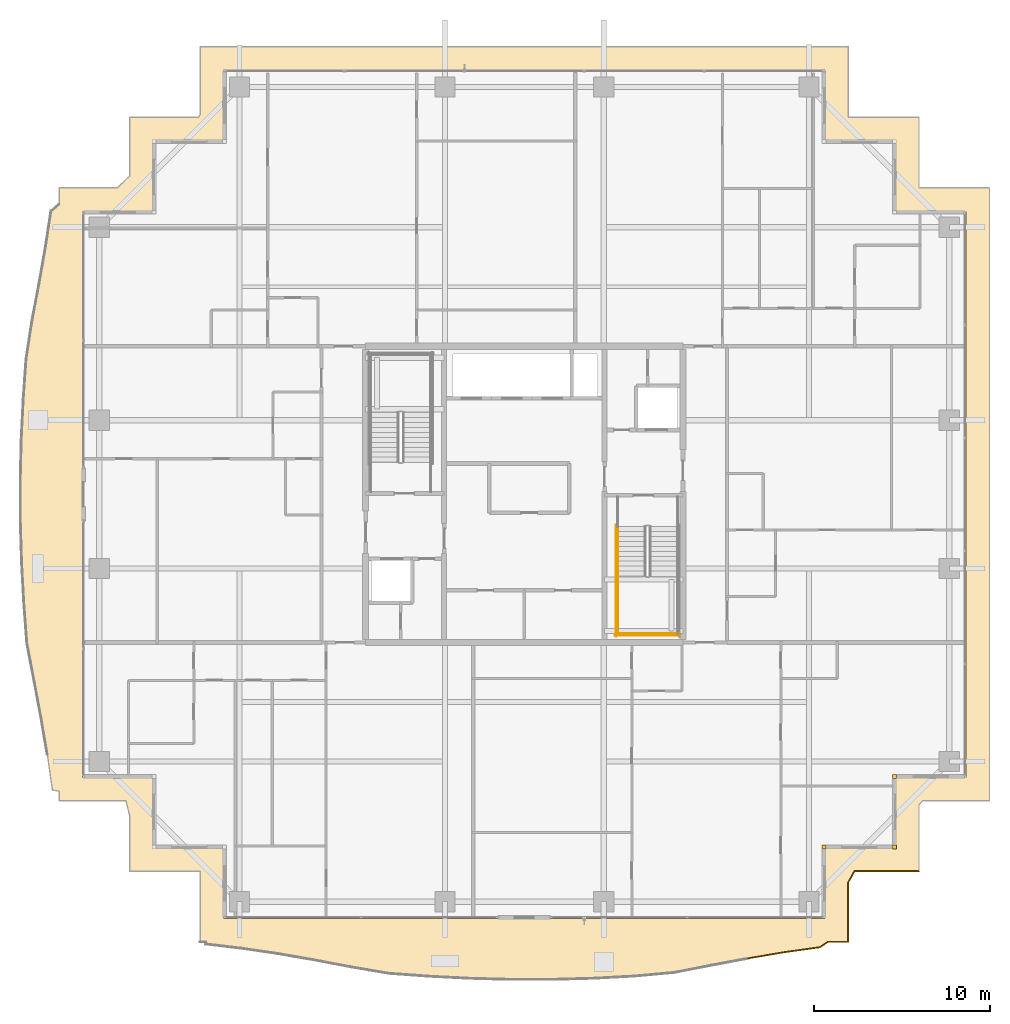
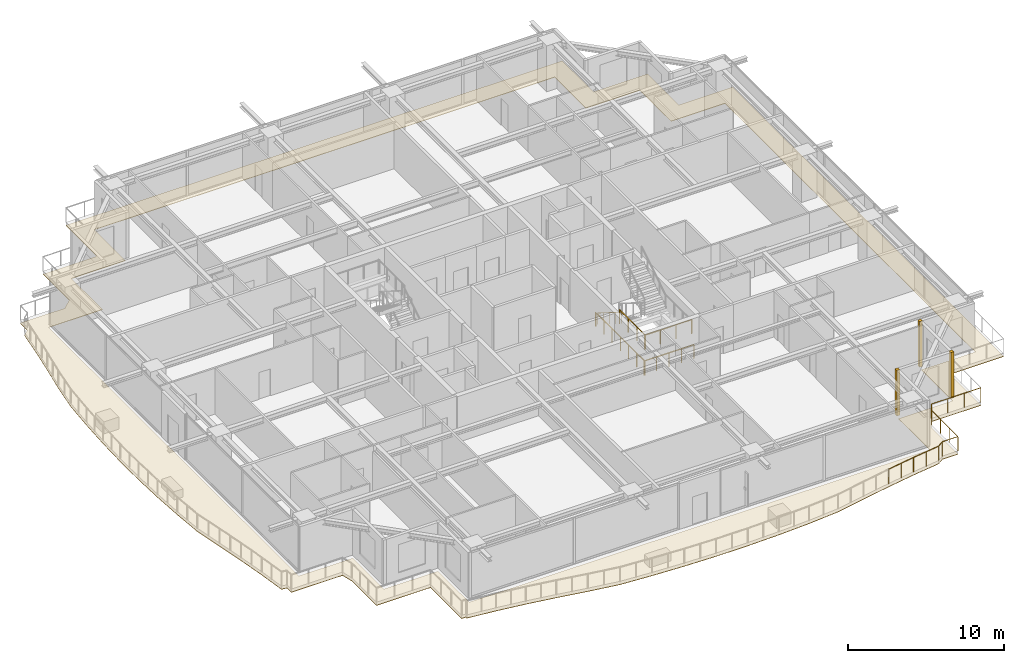
# One storey, part 34 of 37: 6 railings, 4 coverings.
"""IFC4 building model written with IfcOpenShell, lengths in metres."""

from ifc_helpers import new_model, si_unit, direction, frame, origin, origin_2d, place, context, subcontext, project, spatial, polyline, rectangle, circle, outline, extrude, source, transform, mapped, material, layer, layer_set, type_object, element, save


model = new_model("IFC4")

# Units and contexts
model_context = context("Model", 3, precision=1e-05, world=origin(), true_north=direction((0.0, 1.0)))
body_context = subcontext(model_context, "Body", "Model", "MODEL_VIEW")
ifc_project = project(units=[si_unit("LENGTHUNIT", "METRE"), si_unit("AREAUNIT", "SQUARE_METRE"), si_unit("VOLUMEUNIT", "CUBIC_METRE"), si_unit("PLANEANGLEUNIT", "RADIAN"), si_unit("MASSUNIT", "GRAM", prefix="KILO")], contexts=[model_context])

# Site, building, storey
site_placement = place(None, origin())
site = spatial("IfcSite", under=ifc_project, at=site_placement, CompositionType="ELEMENT")
building_placement = place(site_placement, origin())
building = spatial("IfcBuilding", under=site, at=building_placement, Name="Serunith Strait Residences", CompositionType="ELEMENT")
storey_placement = place(building_placement, frame((0.0, 0.0, 218.14990234375)))
storey = spatial("IfcBuildingStorey", under=building, at=storey_placement, Name="L54", CompositionType="ELEMENT", Elevation=218.14990234375)

# Covering
ifc_material_1 = material(Name="Golden Teak Exterior Timber Boarding", Category="wood")
ifc_layer_1 = layer(ifc_material_1, 0.034912109375, Name="Golden Teak Exterior Timber Boarding")
ifc_layer_set_1 = layer_set([ifc_layer_1], Name="Golden Teak Exterior Timber Boarding")
covering_type_1 = type_object("IfcCoveringType", Name="COV-TEAK-SOFFIT", PredefinedType="CEILING", material=ifc_layer_set_1)
covering_placement = place(storey_placement, frame((0.0, 0.0, -0.324951171875)))
element("IfcCovering", 1, at=covering_placement, inside=storey, type_object=covering_type_1, Name="L54 Golden-Teak Balcony Soffit Lining", PredefinedType="CEILING", context=body_context, shape_type="SweptSolid", body=[
    extrude(outline(polyline([(14.02001953125, -0.179931640625), (14.02001953125, 3.820068359375), (10.02001953125, 3.820068359375), (10.02001953125, 6.98828125), (9.8154296875, 7.820068359375), (6.02001953125, 7.820068359375), (6.02001953125, 8.3701171875), (5.64404296875, 8.432861328125), (5.3525390625, 10.458984375), (5.005615234375, 12.507080078125), (4.614013671875, 14.594970703125), (4.2041015625, 16.7412109375), (4.030029296875, 19.005859375), (3.904541015625, 21.3056640625), (3.83447265625, 23.62890625), (3.826904296875, 25.9619140625), (3.88232421875, 28.289306640625), (3.9951171875, 30.596923828125), (4.154296875, 32.873291015625), (4.49072265625, 35.061279296875), (4.89111328125, 37.16650390625), (5.253173828125, 39.225830078125), (5.561767578125, 41.25830078125), (6.02001953125, 41.644287109375), (6.02001953125, 42.580078125), (9.319580078125, 42.580078125), (10.02001953125, 43.233154296875), (10.02001953125, 46.580078125), (13.9189453125, 46.580078125), (14.02001953125, 46.734619140625), (14.02001953125, 50.580078125), (50.780029296875, 50.580078125), (50.780029296875, 46.580078125), (54.780029296875, 46.580078125), (54.780029296875, 42.580078125), (58.780029296875, 42.580078125), (58.780029296875, 7.820068359375), (54.97509765625, 7.820068359375), (54.780029296875, 7.597900390625), (54.780029296875, 3.820068359375), (51.12060546875, 3.820068359375), (50.780029296875, 3.201416015625), (50.780029296875, -0.179931640625), (49.6103515625, -0.179931640625), (49.1689453125, -0.488525390625), (47.14501953125, -0.77294921875), (45.101318359375, -1.1162109375), (43.018310546875, -1.508056640625), (40.8759765625, -1.9228515625), (38.615234375, -2.12841796875), (36.307861328125, -2.25), (33.976318359375, -2.314208984375), (31.6357421875, -2.314697265625), (29.302001953125, -2.252197265625), (26.990234375, -2.133544921875), (24.711181640625, -1.97021484375), (22.537109375, -1.596923828125), (20.438232421875, -1.1982421875), (18.38330078125, -0.84375), (16.353271484375, -0.54638671875), (14.33251953125, -0.306884765625), (14.33349609375, -0.179931640625), (14.02001953125, -0.179931640625)]), holes=[polyline([(49.455078125, 1.14501953125), (49.455078125, 5.14501953125), (53.455078125, 5.14501953125), (53.455078125, 9.14501953125), (57.455078125, 9.14501953125), (57.455078125, 41.2548828125), (53.455078125, 41.2548828125), (53.455078125, 45.2548828125), (49.455078125, 45.2548828125), (49.455078125, 49.2548828125), (15.344970703125, 49.2548828125), (15.344970703125, 45.2548828125), (11.344970703125, 45.2548828125), (11.344970703125, 41.2548828125), (7.344970703125, 41.2548828125), (7.344970703125, 9.14501953125), (11.344970703125, 9.14501953125), (11.344970703125, 5.14501953125), (15.344970703125, 5.14501953125), (15.344970703125, 1.14501953125), (49.455078125, 1.14501953125)])]), origin(), (0.0, 0.0, 1.0), 0.03515625),
])

# Railings
ifc_material_2 = material(Name="Stainless Steel & Laminated Glass Balustrade", Category="steel")
railing_type_1 = type_object("IfcRailingType", Name="RLG-BALC-1150", PredefinedType="BALUSTRADE", material=ifc_material_2)
railing_1_placement = place(storey_placement, frame((54.780029296875, 3.820068359375, -0.0498046875)))
element("IfcRailing", 2, at=railing_1_placement, inside=storey, type_object=railing_type_1, Name="L54 Swirling Balcony Perimeter Balustrade 6", PredefinedType="BALUSTRADE", context=body_context, shape_type="SweptSolid", body=[
    extrude(circle(Radius=0.02392578125, at=origin_2d()), frame((-0.001953125, 0.0, 1.1259765625), z_axis=(-1.0, 0.0, 0.0), x_axis=(0.0, -1.0, 0.0)), (0.0, 0.0, 1.0), 3.655517578125),
    extrude(circle(Radius=0.02392578125, at=origin_2d()), frame((-3.660400390625, -0.001708984375, 1.1259765625), z_axis=(-0.482263757645, -0.876026065858, 0.0), x_axis=(0.876026065858, -0.482263757645, 0.0)), (0.0, 0.0, 1.0), 0.7021484375),
    extrude(circle(Radius=0.02392578125, at=origin_2d()), frame((-4.0, -0.62060546875, 1.1259765625), z_axis=(0.0, -1.0, 0.0), x_axis=(1.0, 0.0, 0.0)), (0.0, 0.0, 1.0), 3.37744140625),
    extrude(circle(Radius=0.02392578125, at=origin_2d()), frame((-4.001953125, -4.0, 1.1259765625), z_axis=(-1.0, 0.0, 0.0), x_axis=(0.0, -1.0, 0.0)), (0.0, 0.0, 1.0), 1.165771484375),
    extrude(circle(Radius=0.02392578125, at=origin_2d()), frame((-5.17138671875, -4.001220703125, 1.1259765625), z_axis=(-0.819572514018, -0.572975474402, 0.0), x_axis=(0.572975474402, -0.819572514018, 0.0)), (0.0, 0.0, 1.0), 0.53466796875),
    extrude(circle(Radius=0.02392578125, at=origin_2d()), frame((-5.613037109375, -4.308837890625, 1.1259765625), z_axis=(-0.990269443671, -0.139163317476, 0.0), x_axis=(0.139163317476, -0.990269443671, 0.0)), (0.0, 0.0, 1.0), 2.039794921875),
    extrude(circle(Radius=0.02392578125, at=origin_2d()), frame((-7.636962890625, -4.59326171875, 1.1259765625), z_axis=(-0.986186178955, -0.165640636437, 0.0), x_axis=(0.165640636437, -0.986186178955, 0.0)), (0.0, 0.0, 1.0), 2.068359375),
    extrude(circle(Radius=0.02099609375, at=origin_2d()), origin(), (0.0, 0.0, 1.0), 1.099853515625),
    extrude(circle(Radius=0.02099609375, at=origin_2d()), frame((-1.2197265625, 0.0, 0.0)), (0.0, 0.0, 1.0), 1.099853515625),
    extrude(circle(Radius=0.02099609375, at=origin_2d()), frame((-2.439697265625, 0.0, 0.0)), (0.0, 0.0, 1.0), 1.099853515625),
    extrude(circle(Radius=0.02099609375, at=origin_2d()), frame((-3.659423828125, 0.0, 0.0)), (0.0, 0.0, 1.0), 1.099853515625),
    extrude(circle(Radius=0.02099609375, at=origin_2d()), frame((-4.0, -0.61865234375, 0.0)), (0.0, 0.0, 1.0), 1.099853515625),
    extrude(circle(Radius=0.02099609375, at=origin_2d()), frame((-4.0, -1.745849609375, 0.0)), (0.0, 0.0, 1.0), 1.099853515625),
    extrude(circle(Radius=0.02099609375, at=origin_2d()), frame((-4.0, -2.872802734375, 0.0)), (0.0, 0.0, 1.0), 1.099853515625),
    extrude(circle(Radius=0.02099609375, at=origin_2d()), frame((-4.0, -4.0, 0.0)), (0.0, 0.0, 1.0), 1.099853515625),
    extrude(circle(Radius=0.02099609375, at=origin_2d()), frame((-5.169677734375, -4.0, 0.0)), (0.0, 0.0, 1.0), 1.099853515625),
    extrude(circle(Radius=0.02099609375, at=origin_2d()), frame((-5.611083984375, -4.30859375, 0.0)), (0.0, 0.0, 1.0), 1.099853515625),
    extrude(circle(Radius=0.02099609375, at=origin_2d()), frame((-6.623046875, -4.45068359375, 0.0)), (0.0, 0.0, 1.0), 1.099853515625),
    extrude(circle(Radius=0.02099609375, at=origin_2d()), frame((-7.635009765625, -4.593017578125, 0.0)), (0.0, 0.0, 1.0), 1.099853515625),
    extrude(circle(Radius=0.02099609375, at=origin_2d()), frame((-8.65673828125, -4.7646484375, 0.0)), (0.0, 0.0, 1.0), 1.099853515625),
    extrude(circle(Radius=0.02099609375, at=origin_2d()), frame((-9.6787109375, -4.936279296875, 0.0)), (0.0, 0.0, 1.0), 1.099853515625),
])
ifc_material_3 = material(Name="Brushed stainless steel 316L", Category="steel")
railing_type_2 = type_object("IfcRailingType", Name="RLG-STAIR-GUARD", PredefinedType="BALUSTRADE", material=ifc_material_3)
railing_2_placement = place(storey_placement, frame((37.699951171875, 20.570068359375, 1.925048828125)))
element("IfcRailing", 3, at=railing_2_placement, inside=storey, type_object=railing_type_2, Name="L54 ST-2 stair guard 3", PredefinedType="BALUSTRADE", context=body_context, shape_type="SweptSolid", body=[
    extrude(circle(Radius=0.02392578125, at=origin_2d()), frame((0.0, -0.001953125, 1.076171875), z_axis=(0.0, -1.0, 0.0), x_axis=(1.0, 0.0, 0.0)), (0.0, 0.0, 1.0), 3.316162109375),
    extrude(circle(Radius=0.02099609375, at=origin_2d()), origin(), (0.0, 0.0, 1.0), 1.050048828125),
    extrude(circle(Radius=0.02099609375, at=origin_2d()), frame((0.0, -1.106689453125, 0.0)), (0.0, 0.0, 1.0), 1.050048828125),
    extrude(circle(Radius=0.02099609375, at=origin_2d()), frame((0.0, -2.21337890625, 0.0)), (0.0, 0.0, 1.0), 1.050048828125),
    extrude(circle(Radius=0.02099609375, at=origin_2d()), frame((0.0, -3.320068359375, 0.0)), (0.0, 0.0, 1.0), 1.050048828125),
])
railing_3_placement = place(storey_placement, frame((37.64990234375, 17.300048828125, 1.925048828125)))
element("IfcRailing", 4, at=railing_3_placement, inside=storey, type_object=railing_type_2, Name="L54 ST-2 stair guard 5", PredefinedType="BALUSTRADE", context=body_context, shape_type="SweptSolid", body=[
    extrude(circle(Radius=0.02392578125, at=origin_2d()), frame((0.001953125, 0.0, 1.076171875), z_axis=(1.0, 0.0, 0.0), x_axis=(0.0, 1.0, 0.0)), (0.0, 0.0, 1.0), 3.49609375),
    extrude(circle(Radius=0.02099609375, at=origin_2d()), origin(), (0.0, 0.0, 1.0), 1.050048828125),
    extrude(circle(Radius=0.02099609375, at=origin_2d()), frame((1.166748046875, 0.0, 0.0)), (0.0, 0.0, 1.0), 1.050048828125),
    extrude(circle(Radius=0.02099609375, at=origin_2d()), frame((2.333251953125, 0.0, 0.0)), (0.0, 0.0, 1.0), 1.050048828125),
    extrude(circle(Radius=0.02099609375, at=origin_2d()), frame((3.5, 0.0, 0.0)), (0.0, 0.0, 1.0), 1.050048828125),
])
railing_4_placement = place(storey_placement, frame((37.60009765625, 23.469970703125, 0.0)))
element("IfcRailing", 5, at=railing_4_placement, inside=storey, type_object=railing_type_2, Name="L54 ST-2 stair guard 10", PredefinedType="BALUSTRADE", context=body_context, shape_type="SweptSolid", body=[
    extrude(circle(Radius=0.02392578125, at=origin_2d()), frame((0.0, -0.001953125, 1.076171875), z_axis=(0.0, -1.0, 0.0), x_axis=(1.0, 0.0, 0.0)), (0.0, 0.0, 1.0), 6.316162109375),
    extrude(circle(Radius=0.02099609375, at=origin_2d()), origin(), (0.0, 0.0, 1.0), 1.050048828125),
    extrude(circle(Radius=0.02099609375, at=origin_2d()), frame((0.0, -1.05322265625, 0.0)), (0.0, 0.0, 1.0), 1.050048828125),
    extrude(circle(Radius=0.02099609375, at=origin_2d()), frame((0.0, -2.106689453125, 0.0)), (0.0, 0.0, 1.0), 1.050048828125),
    extrude(circle(Radius=0.02099609375, at=origin_2d()), frame((0.0, -3.16015625, 0.0)), (0.0, 0.0, 1.0), 1.050048828125),
    extrude(circle(Radius=0.02099609375, at=origin_2d()), frame((0.0, -4.21337890625, 0.0)), (0.0, 0.0, 1.0), 1.050048828125),
    extrude(circle(Radius=0.02099609375, at=origin_2d()), frame((0.0, -5.2666015625, 0.0)), (0.0, 0.0, 1.0), 1.050048828125),
    extrude(circle(Radius=0.02099609375, at=origin_2d()), frame((0.0, -6.320068359375, 0.0)), (0.0, 0.0, 1.0), 1.050048828125),
])
railing_5_placement = place(storey_placement, frame((37.550048828125, 17.199951171875, 0.0)))
element("IfcRailing", 6, at=railing_5_placement, inside=storey, type_object=railing_type_2, Name="L54 ST-2 stair guard 12", PredefinedType="BALUSTRADE", context=body_context, shape_type="SweptSolid", body=[
    extrude(circle(Radius=0.02392578125, at=origin_2d()), frame((0.001953125, 0.0, 1.076171875), z_axis=(1.0, 0.0, 0.0), x_axis=(0.0, 1.0, 0.0)), (0.0, 0.0, 1.0), 3.696044921875),
    extrude(circle(Radius=0.02099609375, at=origin_2d()), origin(), (0.0, 0.0, 1.0), 1.050048828125),
    extrude(circle(Radius=0.02099609375, at=origin_2d()), frame((0.925048828125, 0.0, 0.0)), (0.0, 0.0, 1.0), 1.050048828125),
    extrude(circle(Radius=0.02099609375, at=origin_2d()), frame((1.85009765625, 0.0, 0.0)), (0.0, 0.0, 1.0), 1.050048828125),
    extrude(circle(Radius=0.02099609375, at=origin_2d()), frame((2.77490234375, 0.0, 0.0)), (0.0, 0.0, 1.0), 1.050048828125),
    extrude(circle(Radius=0.02099609375, at=origin_2d()), frame((3.699951171875, 0.0, 0.0)), (0.0, 0.0, 1.0), 1.050048828125),
])
railing_type_3 = type_object("IfcRailingType", Name="RLG-STAIR-HR", PredefinedType="HANDRAIL", material=ifc_material_3)
railing_6_placement = place(storey_placement, frame((37.699951171875, 23.3701171875, 0.175048828125)))
element("IfcRailing", 7, at=railing_6_placement, inside=storey, type_object=railing_type_3, Name="L54 ST-2 stair handrail 1", PredefinedType="HANDRAIL", context=body_context, shape_type="SweptSolid", body=[
    extrude(circle(Radius=0.02392578125, at=origin_2d()), frame((0.0, -0.001708984375, 0.876953125), z_axis=(0.0, -0.847393994688, 0.530964610654), x_axis=(1.0, 0.0, 0.0)), (0.0, 0.0, 1.0), 3.630859375),
    extrude(circle(Radius=0.02099609375, at=origin_2d()), origin(), (0.0, 0.0, 1.0), 0.849853515625),
    extrude(circle(Radius=0.02099609375, at=origin_2d()), frame((0.0, -0.77001953125, 0.482421875)), (0.0, 0.0, 1.0), 0.849853515625),
    extrude(circle(Radius=0.02099609375, at=origin_2d()), frame((0.0, -1.5400390625, 0.96484375)), (0.0, 0.0, 1.0), 0.849853515625),
    extrude(circle(Radius=0.02099609375, at=origin_2d()), frame((0.0, -2.31005859375, 1.447509765625)), (0.0, 0.0, 1.0), 0.849853515625),
    extrude(circle(Radius=0.02099609375, at=origin_2d()), frame((0.0, -3.080078125, 1.929931640625)), (0.0, 0.0, 1.0), 0.849853515625),
])

# Coverings
ifc_material_4 = material(Name="Pale-Champagne Anodised Aluminium", Category="aluminium")
ifc_layer_2 = layer(ifc_material_4, 0.219970703125, Name="Pale-Champagne Anodised Aluminium")
ifc_layer_set_2 = layer_set([ifc_layer_2], Name="Pale-Champagne Anodised Aluminium")
covering_type_2 = type_object("IfcCoveringType", Name="COV-CORN-TRIM", PredefinedType="CLADDING", material=ifc_layer_set_2)
shared_shape = source(origin(), body_context, "Body", "SweptSolid", [
    extrude(rectangle(XDim=0.221923828125, YDim=0.221923828125, at=origin_2d()), origin(), (0.0, 0.0, 1.0), 3.574951171875),
])
for number, where, z_axis, x_axis, name in (
    (8, (49.39990234375, 5.199951171875, 0.0), (0.0, 0.0, 1.0), (1.0, 0.0, 0.0), "L54 Girih Serrated Corner Trim Post 02"),
    (9, (53.39990234375, 5.199951171875, 0.0), (0.0, 0.0, 1.0), (1.0, 0.0, 0.0), "L54 Girih Serrated Corner Trim Post 03"),
    (10, (53.39990234375, 9.199951171875, 0.0), (0.0, 0.0, 1.0), (1.0, 0.0, 0.0), "L54 Girih Serrated Corner Trim Post 04"),
):
    element("IfcCovering", number, at=place(storey_placement, frame(where, z_axis=z_axis, x_axis=x_axis)), inside=storey, type_object=covering_type_2, Name=name, PredefinedType="CLADDING", context=body_context, shape_type="MappedRepresentation", body=[
        mapped(shared_shape, transform((0.0, 0.0, 0.0), scale=1.0)),
    ])

save(model, "model.ifc")
